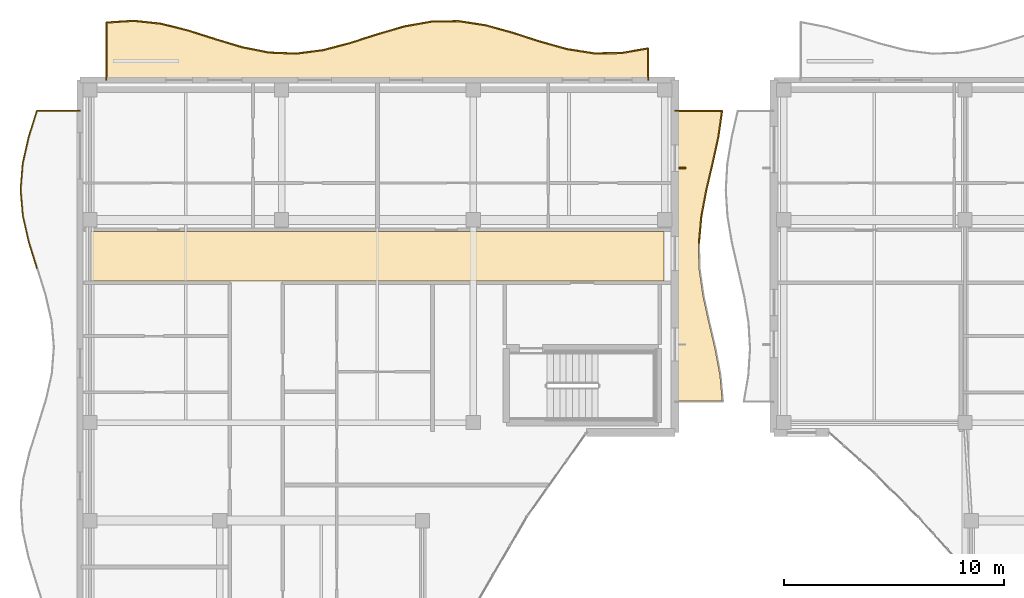
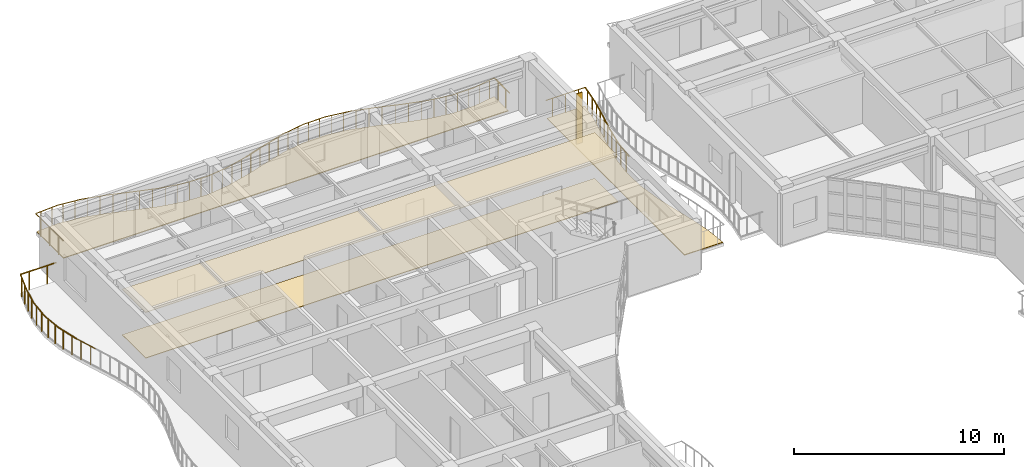
# One storey, part 75 of 89: 35 railings, 4 coverings, 1 shading device.
"""IFC4 building model written with IfcOpenShell, lengths in metres."""

from ifc_helpers import new_model, si_unit, direction, frame, origin, origin_2d, place, context, subcontext, project, spatial, polyline, rectangle, circle, outline, extrude, material, layer, layer_set, type_object, element, save


model = new_model("IFC4")

# Units and contexts
model_context = context("Model", 3, precision=1e-05, world=origin(), true_north=direction((0.0, 1.0)))
body_context = subcontext(model_context, "Body", "Model", "MODEL_VIEW")
ifc_project = project(units=[si_unit("LENGTHUNIT", "METRE"), si_unit("AREAUNIT", "SQUARE_METRE"), si_unit("VOLUMEUNIT", "CUBIC_METRE"), si_unit("PLANEANGLEUNIT", "RADIAN"), si_unit("MASSUNIT", "GRAM", prefix="KILO")], contexts=[model_context])

# Site, building, storey
site_placement = place(None, origin())
site = spatial("IfcSite", under=ifc_project, at=site_placement, CompositionType="ELEMENT")
building_placement = place(site_placement, origin())
building = spatial("IfcBuilding", under=site, at=building_placement, Name="Keldmere Railside Commons", CompositionType="ELEMENT")
storey_placement = place(building_placement, frame((0.0, 0.0, 7.360107421875)))
storey = spatial("IfcBuildingStorey", under=building, at=storey_placement, Name="L02", CompositionType="ELEMENT", Elevation=7.360107421875)

# Railings
ifc_material_1 = material(Name="Steel F-24 (S235)", Category="steel")
railing_type = type_object("IfcRailingType", Name="Balcony & Terrace Steel Balustrade 1100", PredefinedType="BALUSTRADE", material=ifc_material_1)
railing_1_placement = place(storey_placement, frame((9.199951171875, 116.0, 0.0)))
element("IfcRailing", 1, at=railing_1_placement, inside=storey, type_object=railing_type, Name="GR-1 GRD-L02-0131", PredefinedType="BALUSTRADE", context=body_context, shape_type="SweptSolid", body=[
    extrude(circle(Radius=0.02392578125, at=origin_2d()), frame((0.0, 0.0, 1.076171875), z_axis=(0.0, 1.0, 0.0), x_axis=(-1.0, 0.0, 0.0)), (0.0, 0.0, 1.0), 2.618408203125),
    extrude(circle(Radius=0.02099609375, at=origin_2d()), frame((0.0, 0.4365234375, 0.0)), (0.0, 0.0, 1.0), 1.048095703125),
    extrude(circle(Radius=0.02099609375, at=origin_2d()), frame((0.0, 1.30908203125, 0.0)), (0.0, 0.0, 1.0), 1.048095703125),
    extrude(circle(Radius=0.02099609375, at=origin_2d()), frame((0.0, 2.18212890625, 0.0)), (0.0, 0.0, 1.0), 1.048095703125),
])
railing_2_placement = place(storey_placement, frame((9.199951171875, 118.618408203125, 0.0)))
element("IfcRailing", 2, at=railing_2_placement, inside=storey, type_object=railing_type, Name="GR-1 GRD-L02-0132", PredefinedType="BALUSTRADE", context=body_context, shape_type="SweptSolid", body=[
    extrude(circle(Radius=0.02392578125, at=origin_2d()), frame((0.0, 0.0, 1.076171875), z_axis=(0.997887370151, 0.064967657287, 0.0), x_axis=(-0.064967657287, 0.997887370151, 0.0)), (0.0, 0.0, 1.0), 1.232666015625),
    extrude(circle(Radius=0.02099609375, at=origin_2d()), frame((0.3076171875, 0.02001953125, 0.0)), (0.0, 0.0, 1.0), 1.048095703125),
    extrude(circle(Radius=0.02099609375, at=origin_2d()), frame((0.92236328125, 0.06005859375, 0.0)), (0.0, 0.0, 1.0), 1.048095703125),
])
railing_3_placement = place(storey_placement, frame((10.429931640625, 118.698486328125, 0.0)))
element("IfcRailing", 3, at=railing_3_placement, inside=storey, type_object=railing_type, Name="GR-1 GRD-L02-0133", PredefinedType="BALUSTRADE", context=body_context, shape_type="SweptSolid", body=[
    extrude(circle(Radius=0.02392578125, at=origin_2d()), frame((0.0, 0.0, 1.076171875), z_axis=(0.994408775152, -0.105599185134, 0.0), x_axis=(0.105599185134, 0.994408775152, 0.0)), (0.0, 0.0, 1.0), 1.23681640625),
    extrude(circle(Radius=0.02099609375, at=origin_2d()), frame((0.3076171875, -0.03271484375, 0.0)), (0.0, 0.0, 1.0), 1.048095703125),
    extrude(circle(Radius=0.02099609375, at=origin_2d()), frame((0.92236328125, -0.097900390625, 0.0)), (0.0, 0.0, 1.0), 1.048095703125),
])
railing_4_placement = place(storey_placement, frame((11.659912109375, 118.56787109375, 0.0)))
element("IfcRailing", 4, at=railing_4_placement, inside=storey, type_object=railing_type, Name="GR-1 GRD-L02-0134", PredefinedType="BALUSTRADE", context=body_context, shape_type="SweptSolid", body=[
    extrude(circle(Radius=0.02392578125, at=origin_2d()), frame((0.0, 0.0, 1.076171875), z_axis=(0.970751471991, -0.240086608595, 0.0), x_axis=(0.240086608595, 0.970751471991, 0.0)), (0.0, 0.0, 1.0), 1.26708984375),
    extrude(circle(Radius=0.02099609375, at=origin_2d()), frame((0.3076171875, -0.076171875, 0.0)), (0.0, 0.0, 1.0), 1.048095703125),
    extrude(circle(Radius=0.02099609375, at=origin_2d()), frame((0.92236328125, -0.22802734375, 0.0)), (0.0, 0.0, 1.0), 1.048095703125),
])
railing_5_placement = place(storey_placement, frame((12.889892578125, 118.263671875, 0.0)))
element("IfcRailing", 5, at=railing_5_placement, inside=storey, type_object=railing_type, Name="GR-1 GRD-L02-0135", PredefinedType="BALUSTRADE", context=body_context, shape_type="SweptSolid", body=[
    extrude(circle(Radius=0.02392578125, at=origin_2d()), frame((0.0, 0.0, 1.076171875), z_axis=(0.952724439452, -0.303835716253, 0.0), x_axis=(0.303835716253, 0.952724439452, 0.0)), (0.0, 0.0, 1.0), 1.291259765625),
    extrude(circle(Radius=0.02099609375, at=origin_2d()), frame((0.3076171875, -0.09814453125, 0.0)), (0.0, 0.0, 1.0), 1.048095703125),
    extrude(circle(Radius=0.02099609375, at=origin_2d()), frame((0.922607421875, -0.294189453125, 0.0)), (0.0, 0.0, 1.0), 1.048095703125),
])
railing_6_placement = place(storey_placement, frame((14.1201171875, 117.871337890625, 0.0)))
element("IfcRailing", 6, at=railing_6_placement, inside=storey, type_object=railing_type, Name="GR-1 GRD-L02-0136", PredefinedType="BALUSTRADE", context=body_context, shape_type="SweptSolid", body=[
    extrude(circle(Radius=0.02392578125, at=origin_2d()), frame((0.0, 0.0, 1.076171875), z_axis=(0.95753284774, -0.288324202069, 0.0), x_axis=(0.288324202069, 0.95753284774, 0.0)), (0.0, 0.0, 1.0), 1.284423828125),
    extrude(circle(Radius=0.02099609375, at=origin_2d()), frame((0.3076171875, -0.092529296875, 0.0)), (0.0, 0.0, 1.0), 1.048095703125),
    extrude(circle(Radius=0.02099609375, at=origin_2d()), frame((0.92236328125, -0.27783203125, 0.0)), (0.0, 0.0, 1.0), 1.048095703125),
])
railing_7_placement = place(storey_placement, frame((15.35009765625, 117.5009765625, 0.0)))
element("IfcRailing", 7, at=railing_7_placement, inside=storey, type_object=railing_type, Name="GR-1 GRD-L02-0137", PredefinedType="BALUSTRADE", context=body_context, shape_type="SweptSolid", body=[
    extrude(circle(Radius=0.02392578125, at=origin_2d()), frame((0.0, 0.0, 1.076171875), z_axis=(0.980901358686, -0.194505847028, 0.0), x_axis=(0.194505847028, 0.980901358686, 0.0)), (0.0, 0.0, 1.0), 1.25390625),
    extrude(circle(Radius=0.02099609375, at=origin_2d()), frame((0.3076171875, -0.06103515625, 0.0)), (0.0, 0.0, 1.0), 1.048095703125),
    extrude(circle(Radius=0.02099609375, at=origin_2d()), frame((0.92236328125, -0.182861328125, 0.0)), (0.0, 0.0, 1.0), 1.048095703125),
])
railing_8_placement = place(storey_placement, frame((16.580078125, 117.257080078125, 0.0)))
element("IfcRailing", 8, at=railing_8_placement, inside=storey, type_object=railing_type, Name="GR-1 GRD-L02-0138", PredefinedType="BALUSTRADE", context=body_context, shape_type="SweptSolid", body=[
    extrude(circle(Radius=0.02392578125, at=origin_2d()), frame((0.0, 0.0, 1.076171875), z_axis=(0.999197152308, -0.040063085503, 0.0), x_axis=(0.040063085503, 0.999197152308, 0.0)), (0.0, 0.0, 1.0), 1.23095703125),
    extrude(circle(Radius=0.02099609375, at=origin_2d()), frame((0.3076171875, -0.01220703125, 0.0)), (0.0, 0.0, 1.0), 1.048095703125),
    extrude(circle(Radius=0.02099609375, at=origin_2d()), frame((0.92236328125, -0.037109375, 0.0)), (0.0, 0.0, 1.0), 1.048095703125),
])
railing_9_placement = place(storey_placement, frame((17.81005859375, 117.207763671875, 0.0)))
element("IfcRailing", 9, at=railing_9_placement, inside=storey, type_object=railing_type, Name="GR-1 GRD-L02-0139", PredefinedType="BALUSTRADE", context=body_context, shape_type="SweptSolid", body=[
    extrude(circle(Radius=0.02392578125, at=origin_2d()), frame((0.0, 0.0, 1.076171875), z_axis=(0.991704365464, 0.128539688497, 0.0), x_axis=(-0.128539688497, 0.991704365464, 0.0)), (0.0, 0.0, 1.0), 1.240234375),
    extrude(circle(Radius=0.02099609375, at=origin_2d()), frame((0.3076171875, 0.039794921875, 0.0)), (0.0, 0.0, 1.0), 1.048095703125),
    extrude(circle(Radius=0.02099609375, at=origin_2d()), frame((0.92236328125, 0.11962890625, 0.0)), (0.0, 0.0, 1.0), 1.048095703125),
])
railing_10_placement = place(storey_placement, frame((19.0400390625, 117.3671875, 0.0)))
element("IfcRailing", 10, at=railing_10_placement, inside=storey, type_object=railing_type, Name="GR-1 GRD-L02-0140", PredefinedType="BALUSTRADE", context=body_context, shape_type="SweptSolid", body=[
    extrude(circle(Radius=0.02392578125, at=origin_2d()), frame((0.0, 0.0, 1.076171875), z_axis=(0.967111825473, 0.25435156188, 0.0), x_axis=(-0.25435156188, 0.967111825473, 0.0)), (0.0, 0.0, 1.0), 1.271728515625),
    extrude(circle(Radius=0.02099609375, at=origin_2d()), frame((0.3076171875, 0.080810546875, 0.0)), (0.0, 0.0, 1.0), 1.048095703125),
    extrude(circle(Radius=0.02099609375, at=origin_2d()), frame((0.92236328125, 0.24267578125, 0.0)), (0.0, 0.0, 1.0), 1.048095703125),
])
railing_11_placement = place(storey_placement, frame((20.27001953125, 117.690673828125, 0.0)))
element("IfcRailing", 11, at=railing_11_placement, inside=storey, type_object=railing_type, Name="GR-1 GRD-L02-0141", PredefinedType="BALUSTRADE", context=body_context, shape_type="SweptSolid", body=[
    extrude(circle(Radius=0.02392578125, at=origin_2d()), frame((0.0, 0.0, 1.076171875), z_axis=(0.951827851177, 0.306632910373, 0.0), x_axis=(-0.306632910373, 0.951827851177, 0.0)), (0.0, 0.0, 1.0), 1.292236328125),
    extrude(circle(Radius=0.02099609375, at=origin_2d()), frame((0.3076171875, 0.09912109375, 0.0)), (0.0, 0.0, 1.0), 1.048095703125),
    extrude(circle(Radius=0.02099609375, at=origin_2d()), frame((0.92236328125, 0.297119140625, 0.0)), (0.0, 0.0, 1.0), 1.048095703125),
])
railing_12_placement = place(storey_placement, frame((21.5, 118.0869140625, 0.0)))
element("IfcRailing", 12, at=railing_12_placement, inside=storey, type_object=railing_type, Name="GR-1 GRD-L02-0142", PredefinedType="BALUSTRADE", context=body_context, shape_type="SweptSolid", body=[
    extrude(circle(Radius=0.02392578125, at=origin_2d()), frame((0.0, 0.0, 1.076171875), z_axis=(0.960174847078, 0.279399826482, 0.0), x_axis=(-0.279399826482, 0.960174847078, 0.0)), (0.0, 0.0, 1.0), 1.281005859375),
    extrude(circle(Radius=0.02099609375, at=origin_2d()), frame((0.3076171875, 0.08935546875, 0.0)), (0.0, 0.0, 1.0), 1.048095703125),
    extrude(circle(Radius=0.02099609375, at=origin_2d()), frame((0.92236328125, 0.2685546875, 0.0)), (0.0, 0.0, 1.0), 1.048095703125),
])
railing_13_placement = place(storey_placement, frame((22.72998046875, 118.44482421875, 0.0)))
element("IfcRailing", 13, at=railing_13_placement, inside=storey, type_object=railing_type, Name="GR-1 GRD-L02-0143", PredefinedType="BALUSTRADE", context=body_context, shape_type="SweptSolid", body=[
    extrude(circle(Radius=0.02392578125, at=origin_2d()), frame((0.0, 0.0, 1.076171875), z_axis=(0.98458420444, 0.174911247117, 0.0), x_axis=(-0.174911247117, 0.98458420444, 0.0)), (0.0, 0.0, 1.0), 1.249267578125),
    extrude(circle(Radius=0.02099609375, at=origin_2d()), frame((0.3076171875, 0.0546875, 0.0)), (0.0, 0.0, 1.0), 1.048095703125),
    extrude(circle(Radius=0.02099609375, at=origin_2d()), frame((0.92236328125, 0.163818359375, 0.0)), (0.0, 0.0, 1.0), 1.048095703125),
])
railing_14_placement = place(storey_placement, frame((23.9599609375, 118.663330078125, 0.0)))
element("IfcRailing", 14, at=railing_14_placement, inside=storey, type_object=railing_type, Name="GR-1 GRD-L02-0144", PredefinedType="BALUSTRADE", context=body_context, shape_type="SweptSolid", body=[
    extrude(circle(Radius=0.02392578125, at=origin_2d()), frame((0.0, 0.0, 1.076171875), z_axis=(0.999892143369, 0.014686784162, 0.0), x_axis=(-0.014686784162, 0.999892143369, 0.0)), (0.0, 0.0, 1.0), 1.230224609375),
    extrude(circle(Radius=0.02099609375, at=origin_2d()), frame((0.3076171875, 0.00439453125, 0.0)), (0.0, 0.0, 1.0), 1.048095703125),
    extrude(circle(Radius=0.02099609375, at=origin_2d()), frame((0.92236328125, 0.013671875, 0.0)), (0.0, 0.0, 1.0), 1.048095703125),
])
railing_15_placement = place(storey_placement, frame((25.18994140625, 118.681396484375, 0.0)))
element("IfcRailing", 15, at=railing_15_placement, inside=storey, type_object=railing_type, Name="GR-1 GRD-L02-0145", PredefinedType="BALUSTRADE", context=body_context, shape_type="SweptSolid", body=[
    extrude(circle(Radius=0.02392578125, at=origin_2d()), frame((0.0, 0.0, 1.076171875), z_axis=(0.988579467994, -0.150700482616, 0.0), x_axis=(0.150700482616, 0.988579467994, 0.0)), (0.0, 0.0, 1.0), 1.244140625),
    extrude(circle(Radius=0.02099609375, at=origin_2d()), frame((0.3076171875, -0.046875, 0.0)), (0.0, 0.0, 1.0), 1.048095703125),
    extrude(circle(Radius=0.02099609375, at=origin_2d()), frame((0.92236328125, -0.140625, 0.0)), (0.0, 0.0, 1.0), 1.048095703125),
])
railing_16_placement = place(storey_placement, frame((26.419921875, 118.493896484375, 0.0)))
element("IfcRailing", 16, at=railing_16_placement, inside=storey, type_object=railing_type, Name="GR-1 GRD-L02-0146", PredefinedType="BALUSTRADE", context=body_context, shape_type="SweptSolid", body=[
    extrude(circle(Radius=0.02392578125, at=origin_2d()), frame((0.0, 0.0, 1.076171875), z_axis=(0.963736833951, -0.266854482605, 0.0), x_axis=(0.266854482605, 0.963736833951, 0.0)), (0.0, 0.0, 1.0), 1.2763671875),
    extrude(circle(Radius=0.02099609375, at=origin_2d()), frame((0.3076171875, -0.085205078125, 0.0)), (0.0, 0.0, 1.0), 1.048095703125),
    extrude(circle(Radius=0.02099609375, at=origin_2d()), frame((0.92236328125, -0.25537109375, 0.0)), (0.0, 0.0, 1.0), 1.048095703125),
])
railing_17_placement = place(storey_placement, frame((27.64990234375, 118.1533203125, 0.0)))
element("IfcRailing", 17, at=railing_17_placement, inside=storey, type_object=railing_type, Name="GR-1 GRD-L02-0147", PredefinedType="BALUSTRADE", context=body_context, shape_type="SweptSolid", body=[
    extrude(circle(Radius=0.02392578125, at=origin_2d()), frame((0.0, 0.0, 1.076171875), z_axis=(0.951496564548, -0.307659369521, 0.0), x_axis=(0.307659369521, 0.951496564548, 0.0)), (0.0, 0.0, 1.0), 1.292724609375),
    extrude(circle(Radius=0.02099609375, at=origin_2d()), frame((0.3076171875, -0.099365234375, 0.0)), (0.0, 0.0, 1.0), 1.048095703125),
    extrude(circle(Radius=0.02099609375, at=origin_2d()), frame((0.92236328125, -0.29833984375, 0.0)), (0.0, 0.0, 1.0), 1.048095703125),
])
railing_18_placement = place(storey_placement, frame((28.8798828125, 117.755615234375, 0.0)))
element("IfcRailing", 18, at=railing_18_placement, inside=storey, type_object=railing_type, Name="GR-1 GRD-L02-0148", PredefinedType="BALUSTRADE", context=body_context, shape_type="SweptSolid", body=[
    extrude(circle(Radius=0.02392578125, at=origin_2d()), frame((0.0, 0.0, 1.076171875), z_axis=(0.963257279047, -0.268580368538, 0.0), x_axis=(0.268580368538, 0.963257279047, 0.0)), (0.0, 0.0, 1.0), 1.277099609375),
    extrude(circle(Radius=0.02099609375, at=origin_2d()), frame((0.3076171875, -0.085693359375, 0.0)), (0.0, 0.0, 1.0), 1.048095703125),
    extrude(circle(Radius=0.02099609375, at=origin_2d()), frame((0.922607421875, -0.25732421875, 0.0)), (0.0, 0.0, 1.0), 1.048095703125),
])
railing_19_placement = place(storey_placement, frame((30.110107421875, 117.41259765625, 0.0)))
element("IfcRailing", 19, at=railing_19_placement, inside=storey, type_object=railing_type, Name="GR-1 GRD-L02-0149", PredefinedType="BALUSTRADE", context=body_context, shape_type="SweptSolid", body=[
    extrude(circle(Radius=0.02392578125, at=origin_2d()), frame((0.0, 0.0, 1.076171875), z_axis=(0.988047529626, -0.15414953519, 0.0), x_axis=(0.15414953519, 0.988047529626, 0.0)), (0.0, 0.0, 1.0), 1.244873046875),
    extrude(circle(Radius=0.02099609375, at=origin_2d()), frame((0.3076171875, -0.0478515625, 0.0)), (0.0, 0.0, 1.0), 1.048095703125),
    extrude(circle(Radius=0.02099609375, at=origin_2d()), frame((0.92236328125, -0.14404296875, 0.0)), (0.0, 0.0, 1.0), 1.048095703125),
])
railing_20_placement = place(storey_placement, frame((31.340087890625, 117.220703125, 0.0)))
element("IfcRailing", 20, at=railing_20_placement, inside=storey, type_object=railing_type, Name="GR-1 GRD-L02-0150", PredefinedType="BALUSTRADE", context=body_context, shape_type="SweptSolid", body=[
    extrude(circle(Radius=0.02392578125, at=origin_2d()), frame((0.0, 0.0, 1.076171875), z_axis=(0.999942561409, 0.010717923445, 0.0), x_axis=(-0.010717923445, 0.999942561409, 0.0)), (0.0, 0.0, 1.0), 1.22998046875),
    extrude(circle(Radius=0.02099609375, at=origin_2d()), frame((0.3076171875, 0.00341796875, 0.0)), (0.0, 0.0, 1.0), 1.048095703125),
    extrude(circle(Radius=0.02099609375, at=origin_2d()), frame((0.92236328125, 0.009765625, 0.0)), (0.0, 0.0, 1.0), 1.048095703125),
])
railing_21_placement = place(storey_placement, frame((32.570068359375, 117.23388671875, 0.0)))
element("IfcRailing", 21, at=railing_21_placement, inside=storey, type_object=railing_type, Name="GR-1 GRD-L02-0151", PredefinedType="BALUSTRADE", context=body_context, shape_type="SweptSolid", body=[
    extrude(circle(Radius=0.02392578125, at=origin_2d()), frame((0.0, 0.0, 1.076171875), z_axis=(0.985118324824, 0.171877532259, 0.0), x_axis=(-0.171877532259, 0.985118324824, 0.0)), (0.0, 0.0, 1.0), 1.24853515625),
    extrude(circle(Radius=0.02099609375, at=origin_2d()), frame((0.3076171875, 0.0537109375, 0.0)), (0.0, 0.0, 1.0), 1.048095703125),
    extrude(circle(Radius=0.02099609375, at=origin_2d()), frame((0.92236328125, 0.160888671875, 0.0)), (0.0, 0.0, 1.0), 1.048095703125),
])
railing_22_placement = place(storey_placement, frame((33.800048828125, 117.448486328125, 0.0)))
element("IfcRailing", 22, at=railing_22_placement, inside=storey, type_object=railing_type, Name="GR-1 GRD-L02-0152", PredefinedType="BALUSTRADE", context=body_context, shape_type="SweptSolid", body=[
    extrude(circle(Radius=0.02392578125, at=origin_2d()), frame((0.0, 0.0, 1.076171875), z_axis=(0.0, -1.0, 0.0), x_axis=(1.0, 0.0, 0.0)), (0.0, 0.0, 1.0), 1.448486328125),
    extrude(circle(Radius=0.02099609375, at=origin_2d()), frame((0.0, -0.362060546875, 0.0)), (0.0, 0.0, 1.0), 1.048095703125),
    extrude(circle(Radius=0.02099609375, at=origin_2d()), frame((0.0, -1.08642578125, 0.0)), (0.0, 0.0, 1.0), 1.048095703125),
])
railing_23_placement = place(storey_placement, frame((6.045654296875, 107.449951171875, 0.0)))
element("IfcRailing", 23, at=railing_23_placement, inside=storey, type_object=railing_type, Name="GR-1 GRD-L02-0222", PredefinedType="BALUSTRADE", context=body_context, shape_type="SweptSolid", body=[
    extrude(circle(Radius=0.02392578125, at=origin_2d()), frame((0.0, 0.0, 1.076171875), z_axis=(-0.298041141274, 0.954553025299, 0.0), x_axis=(-0.954553025299, -0.298041141274, 0.0)), (0.0, 0.0, 1.0), 1.248291015625),
    extrude(circle(Radius=0.02099609375, at=origin_2d()), frame((-0.093017578125, 0.2978515625, 0.0)), (0.0, 0.0, 1.0), 1.048095703125),
    extrude(circle(Radius=0.02099609375, at=origin_2d()), frame((-0.279052734375, 0.893798828125, 0.0)), (0.0, 0.0, 1.0), 1.048095703125),
])
railing_24_placement = place(storey_placement, frame((5.673583984375, 108.6416015625, 0.0)))
element("IfcRailing", 24, at=railing_24_placement, inside=storey, type_object=railing_type, Name="GR-1 GRD-L02-0223", PredefinedType="BALUSTRADE", context=body_context, shape_type="SweptSolid", body=[
    extrude(circle(Radius=0.02392578125, at=origin_2d()), frame((0.0, 0.0, 1.076171875), z_axis=(-0.222889877256, 0.974843629828, 0.0), x_axis=(-0.974843629828, -0.222889877256, 0.0)), (0.0, 0.0, 1.0), 1.222412109375),
    extrude(circle(Radius=0.02099609375, at=origin_2d()), frame((-0.068115234375, 0.2978515625, 0.0)), (0.0, 0.0, 1.0), 1.048095703125),
    extrude(circle(Radius=0.02099609375, at=origin_2d()), frame((-0.204345703125, 0.893798828125, 0.0)), (0.0, 0.0, 1.0), 1.048095703125),
])
railing_25_placement = place(storey_placement, frame((5.401123046875, 109.833251953125, 0.0)))
element("IfcRailing", 25, at=railing_25_placement, inside=storey, type_object=railing_type, Name="GR-1 GRD-L02-0224", PredefinedType="BALUSTRADE", context=body_context, shape_type="SweptSolid", body=[
    extrude(circle(Radius=0.02392578125, at=origin_2d()), frame((0.0, 0.0, 1.076171875), z_axis=(-0.084515219428, 0.996422188475, 0.0), x_axis=(-0.996422188475, -0.084515219428, 0.0)), (0.0, 0.0, 1.0), 1.196044921875),
    extrude(circle(Radius=0.02099609375, at=origin_2d()), frame((-0.025390625, 0.2978515625, 0.0)), (0.0, 0.0, 1.0), 1.048095703125),
    extrude(circle(Radius=0.02099609375, at=origin_2d()), frame((-0.07568359375, 0.893798828125, 0.0)), (0.0, 0.0, 1.0), 1.048095703125),
])
railing_26_placement = place(storey_placement, frame((5.300048828125, 111.02490234375, 0.0)))
element("IfcRailing", 26, at=railing_26_placement, inside=storey, type_object=railing_type, Name="GR-1 GRD-L02-0225", PredefinedType="BALUSTRADE", context=body_context, shape_type="SweptSolid", body=[
    extrude(circle(Radius=0.02392578125, at=origin_2d()), frame((0.0, 0.0, 1.076171875), z_axis=(0.081254398002, 0.996693394583, 0.0), x_axis=(-0.996693394583, 0.081254398002, 0.0)), (0.0, 0.0, 1.0), 1.19580078125),
    extrude(circle(Radius=0.02099609375, at=origin_2d()), frame((0.0244140625, 0.2978515625, 0.0)), (0.0, 0.0, 1.0), 1.048095703125),
    extrude(circle(Radius=0.02099609375, at=origin_2d()), frame((0.07275390625, 0.89404296875, 0.0)), (0.0, 0.0, 1.0), 1.048095703125),
])
railing_27_placement = place(storey_placement, frame((5.397216796875, 112.216796875, 0.0)))
element("IfcRailing", 27, at=railing_27_placement, inside=storey, type_object=railing_type, Name="GR-1 GRD-L02-0226", PredefinedType="BALUSTRADE", context=body_context, shape_type="SweptSolid", body=[
    extrude(circle(Radius=0.02392578125, at=origin_2d()), frame((0.0, 0.0, 1.076171875), z_axis=(0.220843587708, 0.975309238021, 0.0), x_axis=(-0.975309238021, 0.220843587708, 0.0)), (0.0, 0.0, 1.0), 1.2216796875),
    extrude(circle(Radius=0.02099609375, at=origin_2d()), frame((0.0673828125, 0.2978515625, 0.0)), (0.0, 0.0, 1.0), 1.048095703125),
    extrude(circle(Radius=0.02099609375, at=origin_2d()), frame((0.202392578125, 0.8935546875, 0.0)), (0.0, 0.0, 1.0), 1.048095703125),
])
railing_28_placement = place(storey_placement, frame((5.6669921875, 113.408203125, 0.0)))
element("IfcRailing", 28, at=railing_28_placement, inside=storey, type_object=railing_type, Name="GR-1 GRD-L02-0227", PredefinedType="BALUSTRADE", context=body_context, shape_type="SweptSolid", body=[
    extrude(circle(Radius=0.02392578125, at=origin_2d()), frame((0.0, 0.0, 1.076171875), z_axis=(0.297094292005, 0.954848145863, 0.0), x_axis=(-0.954848145863, 0.297094292005, 0.0)), (0.0, 0.0, 1.0), 1.248291015625),
    extrude(circle(Radius=0.02099609375, at=origin_2d()), frame((0.0927734375, 0.2978515625, 0.0)), (0.0, 0.0, 1.0), 1.048095703125),
    extrude(circle(Radius=0.02099609375, at=origin_2d()), frame((0.278076171875, 0.89404296875, 0.0)), (0.0, 0.0, 1.0), 1.048095703125),
])
railing_29_placement = place(storey_placement, frame((6.037841796875, 114.60009765625, 0.0)))
element("IfcRailing", 29, at=railing_29_placement, inside=storey, type_object=railing_type, Name="GR-1 GRD-L02-0228", PredefinedType="BALUSTRADE", context=body_context, shape_type="SweptSolid", body=[
    extrude(circle(Radius=0.02392578125, at=origin_2d()), frame((0.0, 0.0, 1.076171875), z_axis=(1.0, 0.0, 0.0), x_axis=(0.0, 1.0, 0.0)), (0.0, 0.0, 1.0), 1.962158203125),
    extrude(circle(Radius=0.02099609375, at=origin_2d()), frame((0.490478515625, 0.0, 0.0)), (0.0, 0.0, 1.0), 1.048095703125),
    extrude(circle(Radius=0.02099609375, at=origin_2d()), frame((1.4716796875, 0.0, 0.0)), (0.0, 0.0, 1.0), 1.048095703125),
])
railing_30_placement = place(storey_placement, frame((36.1044921875, 108.60009765625, 0.0)))
element("IfcRailing", 30, at=railing_30_placement, inside=storey, type_object=railing_type, Name="GR-1 GRD-L02-0236", PredefinedType="BALUSTRADE", context=body_context, shape_type="SweptSolid", body=[
    extrude(circle(Radius=0.02392578125, at=origin_2d()), frame((0.0, 0.0, 1.076171875), z_axis=(0.090170341622, 0.995926357464, 0.0), x_axis=(-0.995926357464, 0.090170341622, 0.0)), (0.0, 0.0, 1.0), 1.204833984375),
    extrude(circle(Radius=0.02099609375, at=origin_2d()), frame((0.027099609375, 0.300048828125, 0.0)), (0.0, 0.0, 1.0), 1.048095703125),
    extrude(circle(Radius=0.02099609375, at=origin_2d()), frame((0.08154296875, 0.89990234375, 0.0)), (0.0, 0.0, 1.0), 1.048095703125),
])
railing_31_placement = place(storey_placement, frame((36.213134765625, 109.800048828125, 0.0)))
element("IfcRailing", 31, at=railing_31_placement, inside=storey, type_object=railing_type, Name="GR-1 GRD-L02-0237", PredefinedType="BALUSTRADE", context=body_context, shape_type="SweptSolid", body=[
    extrude(circle(Radius=0.02392578125, at=origin_2d()), frame((0.0, 0.0, 1.076171875), z_axis=(0.184759353718, 0.982783791693, 0.0), x_axis=(-0.982783791693, 0.184759353718, 0.0)), (0.0, 0.0, 1.0), 1.220947265625),
    extrude(circle(Radius=0.02099609375, at=origin_2d()), frame((0.056396484375, 0.300048828125, 0.0)), (0.0, 0.0, 1.0), 1.048095703125),
    extrude(circle(Radius=0.02099609375, at=origin_2d()), frame((0.169189453125, 0.89990234375, 0.0)), (0.0, 0.0, 1.0), 1.048095703125),
])
railing_32_placement = place(storey_placement, frame((36.438720703125, 111.0, 0.0)))
element("IfcRailing", 32, at=railing_32_placement, inside=storey, type_object=railing_type, Name="GR-1 GRD-L02-0238", PredefinedType="BALUSTRADE", context=body_context, shape_type="SweptSolid", body=[
    extrude(circle(Radius=0.02392578125, at=origin_2d()), frame((0.0, 0.0, 1.076171875), z_axis=(0.22895101995, 0.973437943818, 0.0), x_axis=(-0.973437943818, 0.22895101995, 0.0)), (0.0, 0.0, 1.0), 1.232666015625),
    extrude(circle(Radius=0.02099609375, at=origin_2d()), frame((0.070556640625, 0.300048828125, 0.0)), (0.0, 0.0, 1.0), 1.048095703125),
    extrude(circle(Radius=0.02099609375, at=origin_2d()), frame((0.211669921875, 0.89990234375, 0.0)), (0.0, 0.0, 1.0), 1.048095703125),
])
railing_33_placement = place(storey_placement, frame((36.720947265625, 112.199951171875, 0.0)))
element("IfcRailing", 33, at=railing_33_placement, inside=storey, type_object=railing_type, Name="GR-1 GRD-L02-0239", PredefinedType="BALUSTRADE", context=body_context, shape_type="SweptSolid", body=[
    extrude(circle(Radius=0.02392578125, at=origin_2d()), frame((0.0, 0.0, 1.076171875), z_axis=(0.214236190078, 0.976781887046, 0.0), x_axis=(-0.976781887046, 0.214236190078, 0.0)), (0.0, 0.0, 1.0), 1.228515625),
    extrude(circle(Radius=0.02099609375, at=origin_2d()), frame((0.06591796875, 0.300048828125, 0.0)), (0.0, 0.0, 1.0), 1.048095703125),
    extrude(circle(Radius=0.02099609375, at=origin_2d()), frame((0.197265625, 0.89990234375, 0.0)), (0.0, 0.0, 1.0), 1.048095703125),
])
railing_34_placement = place(storey_placement, frame((36.984130859375, 113.39990234375, 0.0)))
element("IfcRailing", 34, at=railing_34_placement, inside=storey, type_object=railing_type, Name="GR-1 GRD-L02-0240", PredefinedType="BALUSTRADE", context=body_context, shape_type="SweptSolid", body=[
    extrude(circle(Radius=0.02392578125, at=origin_2d()), frame((0.0, 0.0, 1.076171875), z_axis=(0.143140438799, 0.989702386973, 0.0), x_axis=(-0.989702386973, 0.143140438799, 0.0)), (0.0, 0.0, 1.0), 1.212646484375),
    extrude(circle(Radius=0.02099609375, at=origin_2d()), frame((0.04345703125, 0.300048828125, 0.0)), (0.0, 0.0, 1.0), 1.048095703125),
    extrude(circle(Radius=0.02099609375, at=origin_2d()), frame((0.130126953125, 0.900146484375, 0.0)), (0.0, 0.0, 1.0), 1.048095703125),
])
railing_35_placement = place(storey_placement, frame((37.15771484375, 114.60009765625, 0.0)))
element("IfcRailing", 35, at=railing_35_placement, inside=storey, type_object=railing_type, Name="GR-1 GRD-L02-0241", PredefinedType="BALUSTRADE", context=body_context, shape_type="SweptSolid", body=[
    extrude(circle(Radius=0.02392578125, at=origin_2d()), frame((0.0, 0.0, 1.076171875), z_axis=(-1.0, 0.0, 0.0), x_axis=(0.0, -1.0, 0.0)), (0.0, 0.0, 1.0), 2.15771484375),
    extrude(circle(Radius=0.02099609375, at=origin_2d()), frame((-0.359619140625, 0.0, 0.0)), (0.0, 0.0, 1.0), 1.048095703125),
    extrude(circle(Radius=0.02099609375, at=origin_2d()), frame((-1.078857421875, 0.0, 0.0)), (0.0, 0.0, 1.0), 1.048095703125),
    extrude(circle(Radius=0.02099609375, at=origin_2d()), frame((-1.798095703125, 0.0, 0.0)), (0.0, 0.0, 1.0), 1.048095703125),
])

# Shading device
ifc_layer_1 = layer(ifc_material_1, 0.06005859375, Name="East-West Vertical Brise-Soleil Fin 320x60")
ifc_layer_set_1 = layer_set([ifc_layer_1], Name="Steel F-24 (S235)")
shading_device_type = type_object("IfcShadingDeviceType", Name="East-West Vertical Brise-Soleil Fin 320x60", PredefinedType="USERDEFINED", material=ifc_layer_set_1)
shading_device_placement = place(storey_placement, frame((35.337890625, 112.0, 0.0), z_axis=(0.0, 0.0, 1.0), x_axis=(1.0, 0.0, 0.0)))
element("IfcShadingDevice", 36, at=shading_device_placement, inside=storey, type_object=shading_device_type, Name="FIN-1 Solar Fin 001", ObjectType="FIN", PredefinedType="USERDEFINED", context=body_context, shape_type="SweptSolid", body=[
    extrude(rectangle(XDim=0.320068359375, YDim=0.06005859375, at=origin_2d()), origin(), (0.0, 0.0, 1.0), 2.97998046875),
])

# Coverings
ifc_material_2 = material(Name="Polished Terrazzo Tile Flooring", Category="concrete")
ifc_layer_2 = layer(ifc_material_2, 0.030029296875, Name="Polished Terrazzo Floor Finish 30")
ifc_layer_set_2 = layer_set([ifc_layer_2], Name="Polished Terrazzo Tile Flooring")
covering_type_1 = type_object("IfcCoveringType", Name="Polished Terrazzo Floor Finish 30", PredefinedType="FLOORING", material=ifc_layer_set_2)
covering_1_placement = place(storey_placement, origin())
element("IfcCovering", 37, at=covering_1_placement, inside=storey, type_object=covering_type_1, Name="FLR-1 Corridor Terrazzo D-L02", PredefinedType="FLOORING", context=body_context, shape_type="SweptSolid", body=[
    extrude(outline(polyline([(8.47998046875, 106.8798828125), (34.52001953125, 106.8798828125), (34.52001953125, 109.1201171875), (8.47998046875, 109.1201171875), (8.47998046875, 106.8798828125)])), origin(), (0.0, 0.0, 1.0), 0.02978515625),
])
ifc_material_3 = material(Name="Acoustic Mineral-Fibre Gypsum Ceiling", Category="gypsum")
ifc_layer_3 = layer(ifc_material_3, 0.02490234375, Name="Suspended Acoustic Ceiling 25")
ifc_layer_set_3 = layer_set([ifc_layer_3], Name="Acoustic Mineral-Fibre Gypsum Ceiling")
covering_type_2 = type_object("IfcCoveringType", Name="Suspended Acoustic Ceiling 25", PredefinedType="CEILING", material=ifc_layer_set_3)
covering_2_placement = place(storey_placement, frame((0.0, 0.0, 2.664794921875)))
element("IfcCovering", 38, at=covering_2_placement, inside=storey, type_object=covering_type_2, Name="CLG-1 Corridor Ceiling D-L02", PredefinedType="CEILING", context=body_context, shape_type="SweptSolid", body=[
    extrude(outline(polyline([(8.47998046875, 106.8798828125), (34.52001953125, 106.8798828125), (34.52001953125, 109.1201171875), (8.47998046875, 109.1201171875), (8.47998046875, 106.8798828125)])), origin(), (0.0, 0.0, 1.0), 0.025146484375),
])
ifc_material_4 = material(Name="White Precast Concrete C35/45", Category="concrete")
ifc_layer_4 = layer(ifc_material_4, 0.044921875, Name="White Architectural Balcony Ribbon Cladding 45")
ifc_layer_set_4 = layer_set([ifc_layer_4], Name="White Precast Concrete C35/45")
covering_type_3 = type_object("IfcCoveringType", Name="White Architectural Balcony Ribbon Cladding 45", PredefinedType="FLOORING", material=ifc_layer_set_4)
covering_3_placement = place(storey_placement, origin())
element("IfcCovering", 39, at=covering_3_placement, inside=storey, type_object=covering_type_3, Name="CLG-WB D L02 N White Balcony Ribbon", PredefinedType="FLOORING", context=body_context, shape_type="SweptSolid", body=[
    extrude(outline(polyline([(33.760009765625, 116.0400390625), (33.760009765625, 117.40087890625), (32.576904296875, 117.1943359375), (32.57373046875, 117.194091796875), (32.5703125, 117.19384765625), (31.34033203125, 117.1806640625), (31.337158203125, 117.1806640625), (31.333740234375, 117.18115234375), (30.103759765625, 117.373046875), (30.099365234375, 117.3740234375), (28.869384765625, 117.717041015625), (28.86767578125, 117.717529296875), (27.638427734375, 118.114990234375), (26.41162109375, 118.45458984375), (25.187255859375, 118.641357421875), (23.9638671875, 118.62353515625), (22.739013671875, 118.40576171875), (21.51171875, 118.048828125), (20.2822265625, 117.652587890625), (20.2802734375, 117.652099609375), (19.05029296875, 117.32861328125), (19.045166015625, 117.32763671875), (17.815185546875, 117.168212890625), (17.811767578125, 117.167724609375), (17.808349609375, 117.167724609375), (16.578369140625, 117.217041015625), (16.5751953125, 117.21728515625), (16.572265625, 117.2177734375), (15.34228515625, 117.4619140625), (15.33837890625, 117.462646484375), (14.1083984375, 117.8330078125), (14.10791015625, 117.833251953125), (12.879150390625, 118.22509765625), (11.653076171875, 118.5283203125), (10.42919921875, 118.658203125), (9.239990234375, 118.580810546875), (9.239990234375, 116.0400390625), (33.760009765625, 116.0400390625)])), origin(), (0.0, 0.0, 1.0), 0.044921875),
])
covering_4_placement = place(storey_placement, origin())
element("IfcCovering", 40, at=covering_4_placement, inside=storey, type_object=covering_type_3, Name="CLG-WB D L02 WE White Balcony Ribbon", PredefinedType="FLOORING", context=body_context, shape_type="SweptSolid", body=[
    extrude(outline(polyline([(37.047119140625, 102.594482421875), (36.822265625, 103.791748046875), (36.540283203125, 104.99072265625), (36.5400390625, 104.991455078125), (36.27685546875, 106.19140625), (36.2763671875, 106.1943359375), (36.1025390625, 107.394287109375), (36.102294921875, 107.398681640625), (36.064697265625, 108.5986328125), (36.064697265625, 108.603515625), (36.17333984375, 109.8037109375), (36.173828125, 109.807373046875), (36.3994140625, 111.00732421875), (36.39990234375, 111.00927734375), (36.681884765625, 112.208984375), (36.944580078125, 113.4072265625), (37.111572265625, 114.56005859375), (35.0400390625, 114.56005859375), (35.0400390625, 101.43994140625), (37.151611328125, 101.43994140625), (37.047119140625, 102.594482421875)])), origin(), (0.0, 0.0, 1.0), 0.044921875),
])

save(model, "model.ifc")
